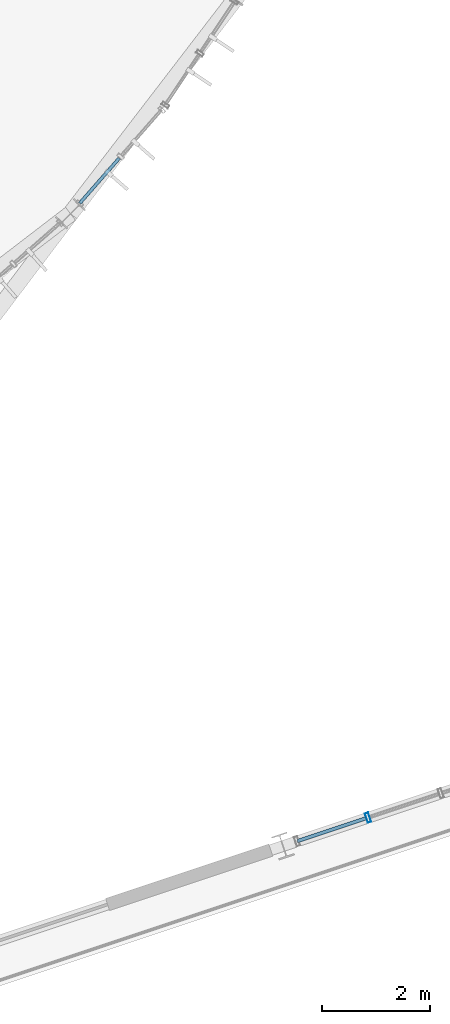
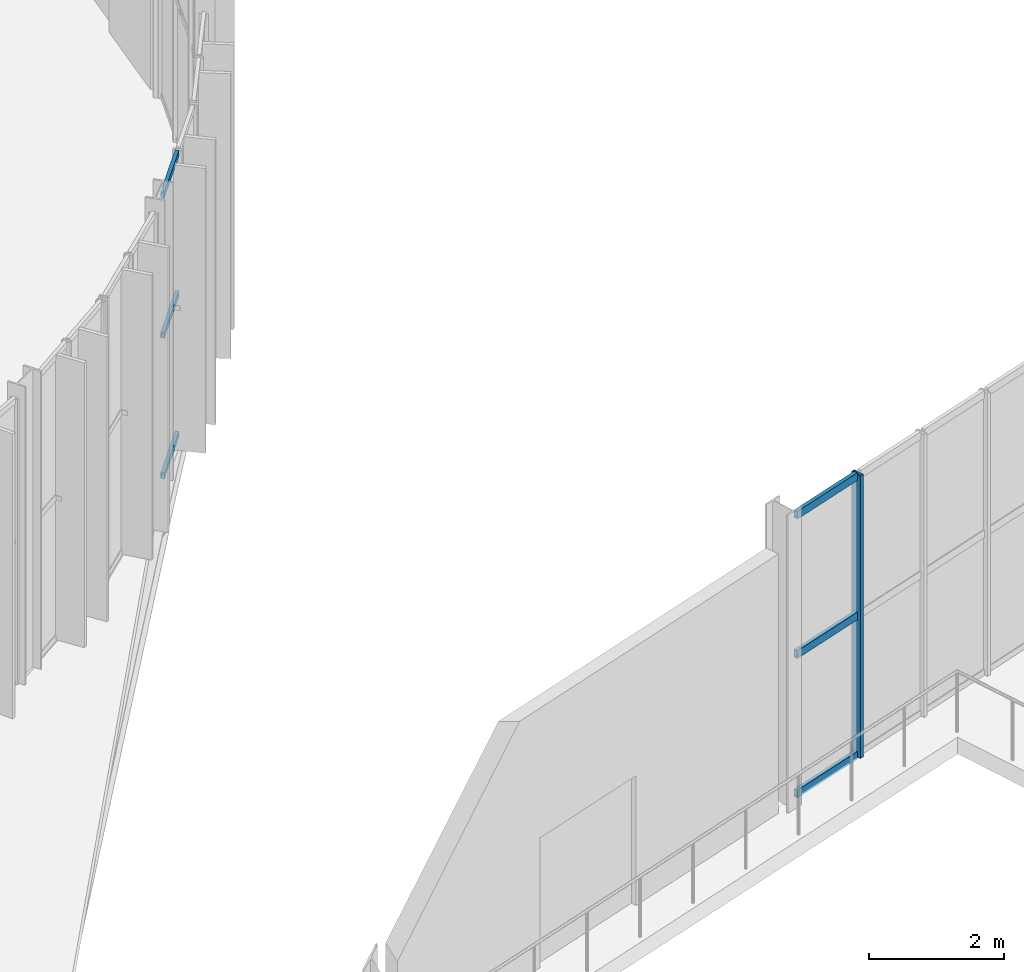
# One storey, part 51 of 158: 7 members, 2 elements without a shape of their own.
"""IFC4 building model written with IfcOpenShell, lengths in metres."""

import ifcopenshell
import ifcopenshell.guid

model = None  # the IFC model being written
_history = None  # IfcOwnerHistory: only IFC2X3 demands one
_inside = {}  # id of a spatial element -> (the spatial element, [elements in it])
_under = {}  # id of a project, library or spatial element -> (it, [spatial elements below it])
_declared = {}  # id of a project -> (the project, [libraries it declares])
_typed = {}  # id of a type object -> (the type object, [elements of that type])
_made_of = {}  # id of a material, layer set ... -> (it, [elements and type objects made of it])


def new_model(schema):
    """Start an empty IFC model of exactly this schema.

    Asked for "IFC4X3", IfcOpenShell would pick the latest addendum, in which some entities
    have other attributes; the version numbers below select the first issue.
    IFC2X3 requires an IfcOwnerHistory on every rooted entity: one is made here for all.
    """
    global model, _history
    if schema == "IFC4X3":
        model = ifcopenshell.file(schema_version=(4, 3, 0, 0))
    else:
        model = ifcopenshell.file(schema=schema)
    _inside.clear()
    _under.clear()
    _declared.clear()
    _typed.clear()
    _made_of.clear()
    _history = None
    if model.schema == "IFC2X3":
        org = make("IfcOrganization", Name="unknown")
        user = make(
            "IfcPersonAndOrganization",
            ThePerson=make("IfcPerson", FamilyName="unknown"),
            TheOrganization=org,
        )
        app = make(
            "IfcApplication",
            ApplicationDeveloper=org,
            Version="unknown",
            ApplicationFullName="unknown",
            ApplicationIdentifier="unknown",
        )
        _history = make(
            "IfcOwnerHistory",
            OwningUser=user,
            OwningApplication=app,
            ChangeAction="ADDED",
            CreationDate=0,
        )
    return model


def make(cls, **values):
    """One entity of the class cls with the attributes given. An attribute that is None is left unset."""
    return model.create_entity(
        cls, **{name: value for name, value in values.items() if value is not None}
    )


def rooted(cls, **values):
    """An entity with a GlobalId (a new one), such as an element, a storey or a relation."""
    return make(cls, GlobalId=ifcopenshell.guid.new(), OwnerHistory=_history, **values)


def si_unit(unit_type, name, prefix=None):
    """IfcSIUnit, for example si_unit("LENGTHUNIT", "METRE", prefix="MILLI")."""
    return make("IfcSIUnit", UnitType=unit_type, Prefix=prefix, Name=name)


def derived_unit(unit_type, elements):
    """IfcDerivedUnit: a product of units, each with its exponent."""
    return make(
        "IfcDerivedUnit",
        Elements=[
            make("IfcDerivedUnitElement", Unit=unit, Exponent=power)
            for unit, power in elements
        ],
        UnitType=unit_type,
    )


def assignment(units):
    """IfcUnitAssignment: the units of a project."""
    return None if units is None else make("IfcUnitAssignment", Units=units)


def point(xyz):
    """IfcCartesianPoint."""
    return None if xyz is None else make("IfcCartesianPoint", Coordinates=xyz)


def direction(xyz):
    """IfcDirection."""
    return None if xyz is None else make("IfcDirection", DirectionRatios=xyz)


def frame(location, z_axis=None, x_axis=None):
    """IfcAxis2Placement3D, a coordinate frame: its origin and axes. An axis left out is left unset."""
    return make(
        "IfcAxis2Placement3D",
        Location=point(location),
        Axis=direction(z_axis),
        RefDirection=direction(x_axis),
    )


def frame_2d(location, x_axis=None):
    """IfcAxis2Placement2D, a coordinate frame in the plane: its origin and x axis."""
    return make(
        "IfcAxis2Placement2D", Location=point(location), RefDirection=direction(x_axis)
    )


def origin():
    """The frame at (0, 0, 0) with its axes left unset."""
    return frame((0.0, 0.0, 0.0))


def origin_2d():
    """The frame at (0, 0) in the plane with its x axis left unset."""
    return frame_2d((0.0, 0.0))


def place(relative_to, where):
    """IfcLocalPlacement: puts the frame where relative to a parent placement (None: the world)."""
    return make(
        "IfcLocalPlacement", PlacementRelTo=relative_to, RelativePlacement=where
    )


def context(
    kind, dimensions, precision=None, world=None, true_north=None, identifier=None
):
    """IfcGeometricRepresentationContext, for example the 3D "Model" context."""
    return make(
        "IfcGeometricRepresentationContext",
        ContextIdentifier=identifier,
        ContextType=kind,
        CoordinateSpaceDimension=dimensions,
        Precision=precision,
        WorldCoordinateSystem=world,
        TrueNorth=true_north,
    )


def subcontext(parent, identifier, kind, view, scale=None):
    """IfcGeometricRepresentationSubContext, for example "Body" below "Model"."""
    return make(
        "IfcGeometricRepresentationSubContext",
        ContextIdentifier=identifier,
        ContextType=kind,
        ParentContext=parent,
        TargetScale=scale,
        TargetView=view,
    )


def project(units=None, contexts=None):
    """IfcProject with its units and contexts."""
    return rooted(
        "IfcProject",
        Name="project",
        RepresentationContexts=contexts,
        UnitsInContext=assignment(units),
    )


def spatial(cls, under=None, at=None, **own):
    """A site, building, storey or space (cls), placed at a placement, below another one or the project."""
    s = rooted(cls, ObjectPlacement=at, **own)
    if under is not None:
        _under.setdefault(under.id(), (under, []))[1].append(s)
    return s


def profile(cls, at=None, kind="AREA", **sizes):
    """A parametric profile (cls). Its sizes go by their IFC names, for example OverallWidth=200.0."""
    return make(cls, ProfileType=kind, Position=at, **sizes)


def hollow_rectangle(**sizes):
    """IfcRectangleHollowProfileDef."""
    return profile("IfcRectangleHollowProfileDef", **sizes)


def extrude(swept, where, along, depth):
    """IfcExtrudedAreaSolid: the profile swept, set in the frame where, extruded along a direction by depth."""
    return make(
        "IfcExtrudedAreaSolid",
        SweptArea=swept,
        Position=where,
        ExtrudedDirection=direction(along),
        Depth=depth,
    )


def shape(context_of_items, identifier, shape_type, items):
    """IfcShapeRepresentation: the items that make up one representation, for example the "Body"."""
    return make(
        "IfcShapeRepresentation",
        ContextOfItems=context_of_items,
        RepresentationIdentifier=identifier,
        RepresentationType=shape_type,
        Items=items,
    )


def material(Name=None, Category=None):
    """IfcMaterial."""
    return make("IfcMaterial", Name=Name, Category=Category)


def material_profile(
    of_material, cross_section, Name=None, Category=None, Priority=None
):
    """IfcMaterialProfile: a cross section and its material."""
    return make(
        "IfcMaterialProfile",
        Name=Name,
        Material=of_material,
        Profile=cross_section,
        Priority=Priority,
        Category=Category,
    )


def profile_set(profiles, Name=None, composite=None):
    """IfcMaterialProfileSet."""
    return make(
        "IfcMaterialProfileSet",
        Name=Name,
        MaterialProfiles=profiles,
        CompositeProfile=composite,
    )


def made_of(thing, what):
    """Note that an element or type object is made of a material, layer set ...; save() writes the relation."""
    if what is not None:
        _made_of.setdefault(what.id(), (what, []))[1].append(thing)
    return thing


def type_object(cls, material=None, **own):
    """A type object (cls), such as IfcWallType, which elements share."""
    return made_of(rooted(cls, **own), material)


def element(
    cls,
    number,
    at=None,
    inside=None,
    cuts=None,
    type_object=None,
    material=None,
    context=None,
    identifier="Body",
    shape_type=None,
    held_by="IfcProductDefinitionShape",
    body=None,
    shapes=None,
    **own,
):
    """One element of the class cls, such as IfcWall. Its Tag is "e" and its number.

    at: its placement. inside: the storey or other place that contains it. cuts: it is an
    opening in that element (IfcRelVoidsElement). A single representation is given by context,
    identifier, shape_type and body (its items); several are given by shapes. held_by: the class
    of the entity that holds the representations. save() writes the other relations.
    """
    e = rooted(cls, Tag="e%d" % number, ObjectPlacement=at, **own)
    if body is not None:
        shapes = [shape(context, identifier, shape_type, body)]
    if shapes is not None:
        e.Representation = make(held_by, Representations=shapes)
    if inside is not None:
        _inside.setdefault(inside.id(), (inside, []))[1].append(e)
    if cuts is not None:
        rooted(
            "IfcRelVoidsElement", RelatingBuildingElement=cuts, RelatedOpeningElement=e
        )
    if type_object is not None:
        _typed.setdefault(type_object.id(), (type_object, []))[1].append(e)
    return made_of(e, material)


def aggregate(whole, parts):
    """IfcRelAggregates: a whole, such as a stair, and the parts it consists of."""
    return rooted("IfcRelAggregates", RelatingObject=whole, RelatedObjects=parts)


def save(model, path):
    """Write the relations noted so far, then the file.

    IfcRelAggregates (storeys below a building ...), IfcRelContainedInSpatialStructure (elements
    in a storey), IfcRelDefinesByType, IfcRelAssociatesMaterial and IfcRelDeclares: one each for
    every whole, place, type object, material and project.
    """
    for whole, parts in _under.values():
        aggregate(whole, parts)
    for where, things in _inside.values():
        rooted(
            "IfcRelContainedInSpatialStructure",
            RelatedElements=things,
            RelatingStructure=where,
        )
    for kind, things in _typed.values():
        rooted("IfcRelDefinesByType", RelatedObjects=things, RelatingType=kind)
    for what, things in _made_of.values():
        rooted("IfcRelAssociatesMaterial", RelatedObjects=things, RelatingMaterial=what)
    for by, libraries in _declared.values():
        rooted("IfcRelDeclares", RelatingContext=by, RelatedDefinitions=libraries)
    model.write(path)


model = new_model("IFC4")

# Units and contexts
model_context = context("Model", 3, precision=1e-05, world=origin(), true_north=direction((0.0, 1.0)))
body_context = subcontext(model_context, "Body", "Model", "MODEL_VIEW")
ifc_project = project(units=[si_unit("LENGTHUNIT", "METRE"), si_unit("AREAUNIT", "SQUARE_METRE"), si_unit("VOLUMEUNIT", "CUBIC_METRE"), si_unit("PLANEANGLEUNIT", "RADIAN"), si_unit("MASSUNIT", "GRAM", prefix="KILO"), si_unit("THERMODYNAMICTEMPERATUREUNIT", "KELVIN"), si_unit("TIMEUNIT", "SECOND"), derived_unit("THERMALTRANSMITTANCEUNIT", [(si_unit("MASSUNIT", "GRAM", prefix="KILO"), 1), (si_unit("THERMODYNAMICTEMPERATUREUNIT", "KELVIN"), -1), (si_unit("TIMEUNIT", "SECOND"), -3)])], contexts=[model_context])

# Site, building, storey
site_placement = place(None, origin())
site = spatial("IfcSite", under=ifc_project, at=site_placement, CompositionType="ELEMENT")
building_placement = place(site_placement, origin())
building = spatial("IfcBuilding", under=site, at=building_placement, Name="Cambertide Market Hall", CompositionType="ELEMENT")
storey_placement = place(building_placement, origin())
storey = spatial("IfcBuildingStorey", under=building, at=storey_placement, Name="L01", CompositionType="ELEMENT", Elevation=0.0)

# Curtain wall, member
ifc_material_1 = material(Name="Marine Anodized Aluminium 6063-T6 AA25", Category="aluminium")
curtain_wall_type_1 = type_object("IfcCurtainWallType", Name="Food Court Ground Glazed Facade", PredefinedType="USERDEFINED", material=ifc_material_1)
curtain_wall_1_placement = place(storey_placement, origin())
curtain_wall_1 = element("IfcCurtainWall", 1, at=curtain_wall_1_placement, inside=storey, type_object=curtain_wall_type_1, Name="Level 1 Curtain Wall CW-V3N-L01-4", ObjectType="UNITIZED CURTAIN WALL", PredefinedType="USERDEFINED")
ifc_material_2 = material(Name="Champagne Marine Anodized Aluminium 6063-T6 AA25", Category="aluminium")
ifc_material_profile_1 = material_profile(ifc_material_2, hollow_rectangle(XDim=0.06494140625, YDim=0.179931640625, WallThickness=0.00390625, at=origin_2d()), Name="ALU MULLION 65x180")
ifc_profile_set_1 = profile_set([ifc_material_profile_1], Name="Champagne Marine Anodized Aluminium 6063-T6 AA25")
member_type_1 = type_object("IfcMemberType", Name="Curtain Wall Mullion ALU MULLION 65x180", PredefinedType="MULLION", material=ifc_profile_set_1)
member_1_placement = place(storey_placement, frame((124.651123046875, 46.677490234375, 0.0), z_axis=(0.0, 0.0, 1.0), x_axis=(0.948683286311, 0.316227801236, 0.0)))
member_1 = element("IfcMember", 2, at=member_1_placement, type_object=member_type_1, Name="CW-V3N-L01-4 Mullion 2", PredefinedType="MULLION", context=body_context, shape_type="SweptSolid", body=[
    extrude(hollow_rectangle(XDim=0.06494140625, YDim=0.179931640625, WallThickness=0.00390625, at=origin_2d()), origin(), (0.0, 0.0, 1.0), 5.1201171875),
])

# Curtain wall, members
ifc_material_3 = material(Name="Marine Anodized Aluminium 6063-T6 AA25", Category="aluminium")
curtain_wall_type_2 = type_object("IfcCurtainWallType", Name="Lantern Apse Chord Lower Curtain Wall", PredefinedType="USERDEFINED", material=ifc_material_3)
curtain_wall_2_placement = place(storey_placement, origin())
curtain_wall_2 = element("IfcCurtainWall", 3, at=curtain_wall_2_placement, inside=storey, type_object=curtain_wall_type_2, Name="Level 1 Curtain Wall CW-V1AE-L01-07", ObjectType="UNITIZED CURTAIN WALL", PredefinedType="USERDEFINED")
ifc_material_4 = material(Name="Champagne Marine Anodized Aluminium 6063-T6 AA25", Category="aluminium")
ifc_material_profile_2 = material_profile(ifc_material_4, hollow_rectangle(XDim=0.06005859375, YDim=0.10498046875, WallThickness=0.0029296875, at=origin_2d()), Name="ALU TRANSOM 60x105")
ifc_profile_set_2 = profile_set([ifc_material_profile_2], Name="Champagne Marine Anodized Aluminium 6063-T6 AA25")
member_type_2 = type_object("IfcMemberType", Name="Curtain Wall Transom ALU TRANSOM 60x105", PredefinedType="USERDEFINED", material=ifc_profile_set_2)
member_2_placement = place(storey_placement, frame((120.044189453125, 58.886474609375, 0.034912109375), z_axis=(-0.659330789082, -0.751852984677, 0.0), x_axis=(0.751852984677, -0.659330789082, 0.0)))
member_2 = element("IfcMember", 4, at=member_2_placement, type_object=member_type_2, Name="CW-V1AE-L01-07 Transom 1-2", ObjectType="TRANSOM", PredefinedType="USERDEFINED", context=body_context, shape_type="SweptSolid", body=[
    extrude(hollow_rectangle(XDim=0.06005859375, YDim=0.10498046875, WallThickness=0.0029296875, at=origin_2d()), origin(), (0.0, 0.0, 1.0), 1.108154296875),
])
member_3_placement = place(storey_placement, frame((120.044189453125, 58.886474609375, 2.580078125), z_axis=(-0.659330789082, -0.751852984677, 0.0), x_axis=(0.751852984677, -0.659330789082, 0.0)))
member_3 = element("IfcMember", 5, at=member_3_placement, type_object=member_type_2, Name="CW-V1AE-L01-07 Transom 2-2", ObjectType="TRANSOM", PredefinedType="USERDEFINED", context=body_context, shape_type="SweptSolid", body=[
    extrude(hollow_rectangle(XDim=0.06005859375, YDim=0.10498046875, WallThickness=0.0029296875, at=origin_2d()), origin(), (0.0, 0.0, 1.0), 1.108154296875),
])
member_4_placement = place(storey_placement, frame((120.044189453125, 58.886474609375, 5.125), z_axis=(-0.659330789082, -0.751852984677, 0.0), x_axis=(0.751852984677, -0.659330789082, 0.0)))
member_4 = element("IfcMember", 6, at=member_4_placement, type_object=member_type_2, Name="CW-V1AE-L01-07 Transom 3-2", ObjectType="TRANSOM", PredefinedType="USERDEFINED", context=body_context, shape_type="SweptSolid", body=[
    extrude(hollow_rectangle(XDim=0.06005859375, YDim=0.10498046875, WallThickness=0.0029296875, at=origin_2d()), origin(), (0.0, 0.0, 1.0), 1.108154296875),
])
aggregate(curtain_wall_2, [member_2, member_3, member_4])

# Member
ifc_material_5 = material(Name="Champagne Marine Anodized Aluminium 6063-T6 AA25", Category="aluminium")
ifc_material_profile_3 = material_profile(ifc_material_5, hollow_rectangle(XDim=0.06494140625, YDim=0.139892578125, WallThickness=0.00341796875, at=origin_2d()), Name="ALU TRANSOM 65x140")
ifc_profile_set_3 = profile_set([ifc_material_profile_3], Name="Champagne Marine Anodized Aluminium 6063-T6 AA25")
member_type_3 = type_object("IfcMemberType", Name="Curtain Wall Transom ALU TRANSOM 65x140", PredefinedType="USERDEFINED", material=ifc_profile_set_3)
member_5_placement = place(storey_placement, frame((123.342041015625, 46.2412109375, 0.034912109375), z_axis=(0.948719731918, 0.316118443418, 0.0), x_axis=(-0.316118443418, 0.948719731918, 0.0)))
member_5 = element("IfcMember", 7, at=member_5_placement, type_object=member_type_3, Name="CW-V3N-L01-4 Transom 1-1", ObjectType="TRANSOM", PredefinedType="USERDEFINED", context=body_context, shape_type="SweptSolid", body=[
    extrude(hollow_rectangle(XDim=0.06494140625, YDim=0.139892578125, WallThickness=0.00341796875, at=origin_2d()), origin(), (0.0, 0.0, 1.0), 1.33984375),
])

member_6_placement = place(storey_placement, frame((123.342041015625, 46.2412109375, 2.56005859375), z_axis=(0.948719731918, 0.316118443418, 0.0), x_axis=(-0.316118443418, 0.948719731918, 0.0)))
member_6 = element("IfcMember", 8, at=member_6_placement, type_object=member_type_3, Name="CW-V3N-L01-4 Transom 2-1", ObjectType="TRANSOM", PredefinedType="USERDEFINED", context=body_context, shape_type="SweptSolid", body=[
    extrude(hollow_rectangle(XDim=0.06494140625, YDim=0.139892578125, WallThickness=0.00341796875, at=origin_2d()), origin(), (0.0, 0.0, 1.0), 1.33984375),
])

member_7_placement = place(storey_placement, frame((123.342041015625, 46.2412109375, 5.0849609375), z_axis=(0.948719731918, 0.316118443418, 0.0), x_axis=(-0.316118443418, 0.948719731918, 0.0)))
member_7 = element("IfcMember", 9, at=member_7_placement, type_object=member_type_3, Name="CW-V3N-L01-4 Transom 3-1", ObjectType="TRANSOM", PredefinedType="USERDEFINED", context=body_context, shape_type="SweptSolid", body=[
    extrude(hollow_rectangle(XDim=0.06494140625, YDim=0.139892578125, WallThickness=0.00341796875, at=origin_2d()), origin(), (0.0, 0.0, 1.0), 1.33984375),
])

aggregate(curtain_wall_1, [member_1, member_5, member_6, member_7])

save(model, "model.ifc")
